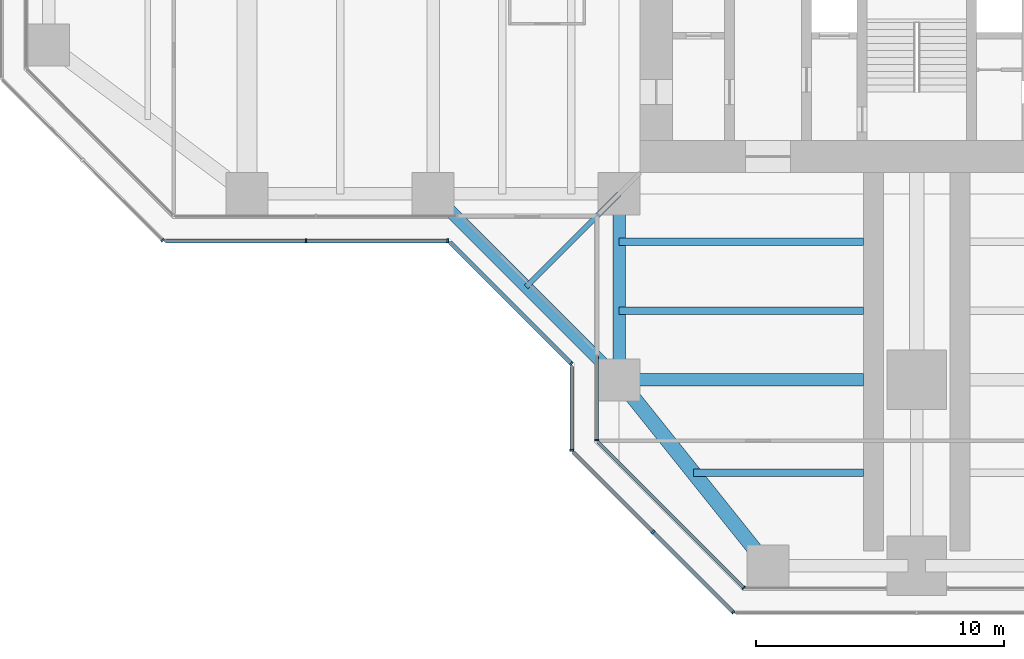
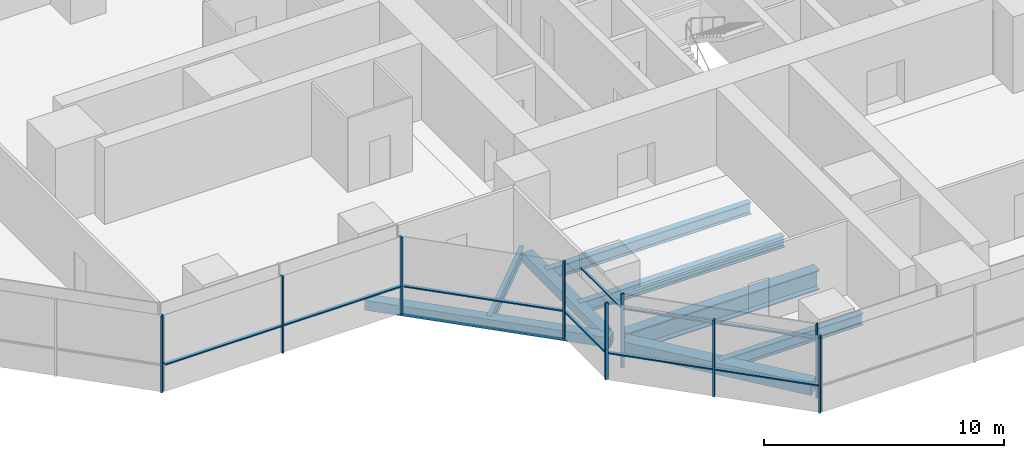
# One storey, part 2 of 19: 17 members, 8 beams, 7 elements without a shape of their own.
"""IFC4 building model written with IfcOpenShell, lengths in metres."""

from ifc_helpers import new_model, si_unit, direction, frame, origin, origin_2d, place, context, subcontext, project, spatial, rectangle, hollow_rectangle, i_section, extrude, material, material_profile, profile_set, type_object, element, aggregate, save


model = new_model("IFC4")

# Units and contexts
model_context = context("Model", 3, precision=1e-05, world=origin(), true_north=direction((0.0, 1.0)))
body_context = subcontext(model_context, "Body", "Model", "MODEL_VIEW")
ifc_project = project(units=[si_unit("LENGTHUNIT", "METRE"), si_unit("AREAUNIT", "SQUARE_METRE"), si_unit("VOLUMEUNIT", "CUBIC_METRE"), si_unit("PLANEANGLEUNIT", "RADIAN"), si_unit("MASSUNIT", "GRAM", prefix="KILO")], contexts=[model_context])

# Site, building, storey
site_placement = place(None, origin())
site = spatial("IfcSite", under=ifc_project, at=site_placement, CompositionType="ELEMENT")
building_placement = place(site_placement, origin())
building = spatial("IfcBuilding", under=site, at=building_placement, Name="Mizan Broadcast Tower", CompositionType="ELEMENT")
storey_placement = place(building_placement, frame((0.0, 0.0, 128.10009765625)))
storey = spatial("IfcBuildingStorey", under=building, at=storey_placement, Name="L28", CompositionType="ELEMENT", Elevation=128.10009765625)

# Beams
ifc_material_1 = material(Name="Steel S355", Category="steel")
ifc_material_profile_1 = material_profile(ifc_material_1, hollow_rectangle(XDim=0.5, YDim=0.5, WallThickness=0.030029296875, at=origin_2d()), Name="BOX 500x500x30")
ifc_profile_set_1 = profile_set([ifc_material_profile_1], Name="Steel S355")
beam_type_1 = type_object("IfcBeamType", Name="EDGE BEAM BOX 500x500x30", PredefinedType="SPANDREL", material=ifc_profile_set_1)
beam_1_placement = place(storey_placement, frame((-12.0, -12.449951171875, -0.380126953125), z_axis=(0.0, -1.0, 0.0), x_axis=(1.0, 0.0, 0.0)))
element("IfcBeam", 1, at=beam_1_placement, inside=storey, type_object=beam_type_1, Name="Edge beam BOX 500x500x30 L28 south arm", PredefinedType="SPANDREL", context=body_context, shape_type="SweptSolid", body=[
    extrude(hollow_rectangle(XDim=0.5, YDim=0.5, WallThickness=0.030029296875, at=origin_2d()), origin(), (0.0, 0.0, 1.0), 6.60009765625),
])
beam_2_placement = place(storey_placement, frame((-19.5, -12.0, -0.380126953125), z_axis=(0.707106781187, -0.707106781187, 0.0), x_axis=(0.707106781187, 0.707106781187, 0.0)))
element("IfcBeam", 2, at=beam_2_placement, inside=storey, type_object=beam_type_1, Name="Winter garden edge beam L28 W", PredefinedType="SPANDREL", context=body_context, shape_type="SweptSolid", body=[
    extrude(hollow_rectangle(XDim=0.5, YDim=0.5, WallThickness=0.030029296875, at=origin_2d()), origin(), (0.0, 0.0, 1.0), 10.606689453125),
])
ifc_material_2 = material(Name="Steel S355", Category="steel")
ifc_material_profile_2 = material_profile(ifc_material_2, hollow_rectangle(XDim=0.60009765625, YDim=0.60009765625, WallThickness=0.030029296875, at=origin_2d()), Name="BOX 600x600x30")
ifc_profile_set_2 = profile_set([ifc_material_profile_2], Name="Steel S355")
beam_type_2 = type_object("IfcBeamType", Name="EDGE BEAM BOX 600x600x30", PredefinedType="SPANDREL", material=ifc_profile_set_2)
beam_3_placement = place(storey_placement, frame((-11.639892578125, -19.949951171875, -0.43017578125), z_axis=(0.624673911726, -0.780885717636, 0.0), x_axis=(0.780885717636, 0.624673911726, 0.0)))
element("IfcBeam", 3, at=beam_3_placement, inside=storey, type_object=beam_type_2, Name="Edge beam BOX 600x600x30 L28 south arm", PredefinedType="SPANDREL", context=body_context, shape_type="SweptSolid", body=[
    extrude(hollow_rectangle(XDim=0.60009765625, YDim=0.60009765625, WallThickness=0.030029296875, at=origin_2d()), origin(), (0.0, 0.0, 1.0), 8.4521484375),
])
ifc_material_3 = material(Name="Steel S460", Category="steel")
ifc_material_profile_3 = material_profile(ifc_material_3, i_section(OverallWidth=0.5, OverallDepth=1.0, WebThickness=0.02490234375, FlangeThickness=0.050048828125, at=origin_2d()), Name="WPG 1000x500")
ifc_profile_set_3 = profile_set([ifc_material_profile_3], Name="Steel S460")
beam_type_3 = type_object("IfcBeamType", Name="GIRDER WPG 1000x500", PredefinedType="BEAM", material=ifc_profile_set_3)
beam_4_placement = place(storey_placement, frame((-11.408935546875, -19.5, -0.630126953125), z_axis=(1.0, 0.0, 0.0), x_axis=(0.0, 1.0, 0.0)))
element("IfcBeam", 4, at=beam_4_placement, inside=storey, type_object=beam_type_3, Name="Girder WPG 1000x500 L28 south arm", PredefinedType="BEAM", context=body_context, shape_type="SweptSolid", body=[
    extrude(i_section(OverallWidth=0.5, OverallDepth=1.0, WebThickness=0.02490234375, FlangeThickness=0.050048828125, at=origin_2d()), origin(), (0.0, 0.0, 1.0), 9.259033203125),
])

# Curtain wall, member
ifc_material_4 = material(Name="Aluminium framed glazing", Category="aluminium")
curtain_wall_type_1 = type_object("IfcCurtainWallType", Name="INNER SKIN MID ZONE", PredefinedType="USERDEFINED", material=ifc_material_4)
curtain_wall_1_placement = place(storey_placement, origin())
curtain_wall_1 = element("IfcCurtainWall", 5, at=curtain_wall_1_placement, inside=storey, type_object=curtain_wall_type_1, Name="Inner skin mid zone L28 S side", ObjectType="INNER SKIN MID ZONE", PredefinedType="USERDEFINED")
ifc_material_5 = material(Name="Aluminium, pale anodised", Category="aluminium")
ifc_material_profile_4 = material_profile(ifc_material_5, rectangle(XDim=0.159912109375, YDim=0.06005859375, at=origin_2d()), Name="MULLION 160x60")
ifc_profile_set_4 = profile_set([ifc_material_profile_4], Name="Aluminium, pale anodised")
member_type_1 = type_object("IfcMemberType", Name="INNER SKIN MULLION 60x160", PredefinedType="MULLION", material=ifc_profile_set_4)
member_1_placement = place(storey_placement, frame((-12.89990234375, -21.928466796875, 0.0), z_axis=(0.0, 0.0, 1.0), x_axis=(1.0, 0.0, 0.0)))
member_1 = element("IfcMember", 6, at=member_1_placement, type_object=member_type_1, Name="Inner skin mid zone L28 S side mullion 2", PredefinedType="MULLION", context=body_context, shape_type="SweptSolid", body=[
    extrude(rectangle(XDim=0.159912109375, YDim=0.06005859375, at=origin_2d()), origin(), (0.0, 0.0, 1.0), 3.77001953125),
])

curtain_wall_2_placement = place(storey_placement, origin())
curtain_wall_2 = element("IfcCurtainWall", 7, at=curtain_wall_2_placement, inside=storey, type_object=curtain_wall_type_1, Name="Inner skin mid zone L28 S chamfer", ObjectType="INNER SKIN MID ZONE", PredefinedType="USERDEFINED")
member_2_placement = place(storey_placement, frame((-6.979736328125, -27.87890625, 0.0), z_axis=(0.0, 0.0, 1.0), x_axis=(0.707106781187, 0.707106781187, 0.0)))
member_2 = element("IfcMember", 8, at=member_2_placement, type_object=member_type_1, Name="Inner skin mid zone L28 S chamfer mullion 2", PredefinedType="MULLION", context=body_context, shape_type="SweptSolid", body=[
    extrude(rectangle(XDim=0.159912109375, YDim=0.06005859375, at=origin_2d()), origin(), (0.0, 0.0, 1.0), 3.77001953125),
])

# Member
ifc_material_6 = material(Name="Aluminium, pale anodised", Category="aluminium")
ifc_material_profile_5 = material_profile(ifc_material_6, rectangle(XDim=0.1201171875, YDim=0.06005859375, at=origin_2d()), Name="TRANSOM 120x60")
ifc_profile_set_5 = profile_set([ifc_material_profile_5], Name="Aluminium, pale anodised")
member_type_2 = type_object("IfcMemberType", Name="INNER SKIN TRANSOM 60x120", PredefinedType="USERDEFINED", material=ifc_profile_set_5)
member_3_placement = place(storey_placement, frame((-12.89990234375, -18.56005859375, 3.02978515625), z_axis=(0.0, -1.0, 0.0), x_axis=(1.0, 0.0, 0.0)))
member_3 = element("IfcMember", 9, at=member_3_placement, type_object=member_type_2, Name="Inner skin mid zone L28 S side transom 1.1", ObjectType="TRANSOM", PredefinedType="USERDEFINED", context=body_context, shape_type="SweptSolid", body=[
    extrude(rectangle(XDim=0.1201171875, YDim=0.06005859375, at=origin_2d()), origin(), (0.0, 0.0, 1.0), 3.338623046875),
])

aggregate(curtain_wall_1, [member_1, member_3])

member_4_placement = place(storey_placement, frame((-12.857666015625, -22.0009765625, 3.02978515625), z_axis=(0.707106781187, -0.707106781187, 0.0), x_axis=(0.707106781187, 0.707106781187, 0.0)))
member_4 = element("IfcMember", 10, at=member_4_placement, type_object=member_type_2, Name="Inner skin mid zone L28 S chamfer transom 1.1", ObjectType="TRANSOM", PredefinedType="USERDEFINED", context=body_context, shape_type="SweptSolid", body=[
    extrude(rectangle(XDim=0.1201171875, YDim=0.06005859375, at=origin_2d()), origin(), (0.0, 0.0, 1.0), 8.28271484375),
])

aggregate(curtain_wall_2, [member_2, member_4])

# Curtain wall, member
ifc_material_7 = material(Name="Aluminium framed glazing", Category="aluminium")
curtain_wall_type_2 = type_object("IfcCurtainWallType", Name="OUTER SKIN", PredefinedType="USERDEFINED", material=ifc_material_7)
curtain_wall_3_placement = place(storey_placement, origin())
curtain_wall_3 = element("IfcCurtainWall", 11, at=curtain_wall_3_placement, inside=storey, type_object=curtain_wall_type_2, Name="Outer skin L28 W chamfer", ObjectType="OUTER SKIN", PredefinedType="USERDEFINED")
ifc_material_8 = material(Name="Aluminium, pale anodised", Category="aluminium")
ifc_material_profile_6 = material_profile(ifc_material_8, rectangle(XDim=0.159912109375, YDim=0.080078125, at=origin_2d()), Name="MULLION 160x80")
ifc_profile_set_6 = profile_set([ifc_material_profile_6], Name="Aluminium, pale anodised")
member_type_3 = type_object("IfcMemberType", Name="OUTER SKIN MULLION 80x160", PredefinedType="MULLION", material=ifc_profile_set_6)
member_5_placement = place(storey_placement, frame((-30.401123046875, -13.871826171875, 0.0), z_axis=(0.0, 0.0, 1.0), x_axis=(0.707106781187, 0.707106781187, 0.0)))
member_5 = element("IfcMember", 12, at=member_5_placement, type_object=member_type_3, Name="Outer skin L28 W chamfer mullion 3", PredefinedType="MULLION", context=body_context, shape_type="SweptSolid", body=[
    extrude(rectangle(XDim=0.159912109375, YDim=0.080078125, at=origin_2d()), origin(), (0.0, 0.0, 1.0), 3.89990234375),
])
aggregate(curtain_wall_3, [member_5])

# Curtain wall, members
curtain_wall_4_placement = place(storey_placement, origin())
curtain_wall_4 = element("IfcCurtainWall", 13, at=curtain_wall_4_placement, inside=storey, type_object=curtain_wall_type_2, Name="Outer skin L28 W side", ObjectType="OUTER SKIN", PredefinedType="USERDEFINED")
member_6_placement = place(storey_placement, frame((-24.622802734375, -13.89990234375, 0.0), z_axis=(0.0, 0.0, 1.0), x_axis=(0.0, 1.0, 0.0)))
member_6 = element("IfcMember", 14, at=member_6_placement, type_object=member_type_3, Name="Outer skin L28 W side mullion 2", PredefinedType="MULLION", context=body_context, shape_type="SweptSolid", body=[
    extrude(rectangle(XDim=0.159912109375, YDim=0.080078125, at=origin_2d()), origin(), (0.0, 0.0, 1.0), 3.89990234375),
])
member_7_placement = place(storey_placement, frame((-18.912841796875, -13.89990234375, 0.0), z_axis=(0.0, 0.0, 1.0), x_axis=(0.0, 1.0, 0.0)))
member_7 = element("IfcMember", 15, at=member_7_placement, type_object=member_type_3, Name="Outer skin L28 W side mullion 3", PredefinedType="MULLION", context=body_context, shape_type="SweptSolid", body=[
    extrude(rectangle(XDim=0.159912109375, YDim=0.080078125, at=origin_2d()), origin(), (0.0, 0.0, 1.0), 3.89990234375),
])

# Curtain wall, member
curtain_wall_5_placement = place(storey_placement, origin())
curtain_wall_5 = element("IfcCurtainWall", 16, at=curtain_wall_5_placement, inside=storey, type_object=curtain_wall_type_2, Name="Outer skin L28 W chamfer", ObjectType="OUTER SKIN", PredefinedType="USERDEFINED")
member_8_placement = place(storey_placement, frame((-13.92822265625, -18.844482421875, 0.0), z_axis=(0.0, 0.0, 1.0), x_axis=(0.707106781187, 0.707106781187, 0.0)))
member_8 = element("IfcMember", 17, at=member_8_placement, type_object=member_type_3, Name="Outer skin L28 W chamfer mullion 2", PredefinedType="MULLION", context=body_context, shape_type="SweptSolid", body=[
    extrude(rectangle(XDim=0.159912109375, YDim=0.080078125, at=origin_2d()), origin(), (0.0, 0.0, 1.0), 3.89990234375),
])

curtain_wall_6_placement = place(storey_placement, origin())
curtain_wall_6 = element("IfcCurtainWall", 18, at=curtain_wall_6_placement, inside=storey, type_object=curtain_wall_type_2, Name="Outer skin L28 S side", ObjectType="OUTER SKIN", PredefinedType="USERDEFINED")
member_9_placement = place(storey_placement, frame((-13.89990234375, -22.332763671875, 0.0), z_axis=(0.0, 0.0, 1.0), x_axis=(1.0, 0.0, 0.0)))
member_9 = element("IfcMember", 19, at=member_9_placement, type_object=member_type_3, Name="Outer skin L28 S side mullion 2", PredefinedType="MULLION", context=body_context, shape_type="SweptSolid", body=[
    extrude(rectangle(XDim=0.159912109375, YDim=0.080078125, at=origin_2d()), origin(), (0.0, 0.0, 1.0), 3.89990234375),
])

# Curtain wall, members
curtain_wall_7_placement = place(storey_placement, origin())
curtain_wall_7 = element("IfcCurtainWall", 20, at=curtain_wall_7_placement, inside=storey, type_object=curtain_wall_type_2, Name="Outer skin L28 S chamfer", ObjectType="OUTER SKIN", PredefinedType="USERDEFINED")
member_10_placement = place(storey_placement, frame((-10.636474609375, -25.636474609375, 0.0), z_axis=(0.0, 0.0, 1.0), x_axis=(0.707106781187, 0.707106781187, 0.0)))
member_10 = element("IfcMember", 21, at=member_10_placement, type_object=member_type_3, Name="Outer skin L28 S chamfer mullion 2", PredefinedType="MULLION", context=body_context, shape_type="SweptSolid", body=[
    extrude(rectangle(XDim=0.159912109375, YDim=0.080078125, at=origin_2d()), origin(), (0.0, 0.0, 1.0), 3.89990234375),
])
member_11_placement = place(storey_placement, frame((-7.401123046875, -28.871826171875, 0.0), z_axis=(0.0, 0.0, 1.0), x_axis=(0.707106781187, 0.707106781187, 0.0)))
member_11 = element("IfcMember", 22, at=member_11_placement, type_object=member_type_3, Name="Outer skin L28 S chamfer mullion 3", PredefinedType="MULLION", context=body_context, shape_type="SweptSolid", body=[
    extrude(rectangle(XDim=0.159912109375, YDim=0.080078125, at=origin_2d()), origin(), (0.0, 0.0, 1.0), 3.89990234375),
])

# Member
ifc_material_9 = material(Name="Aluminium, pale anodised", Category="aluminium")
ifc_material_profile_7 = material_profile(ifc_material_9, rectangle(XDim=0.159912109375, YDim=0.06005859375, at=origin_2d()), Name="TRANSOM 160x60")
ifc_profile_set_7 = profile_set([ifc_material_profile_7], Name="Aluminium, pale anodised")
member_type_4 = type_object("IfcMemberType", Name="OUTER SKIN TRANSOM 60x160", PredefinedType="USERDEFINED", material=ifc_profile_set_7)
member_12_placement = place(storey_placement, frame((-30.292724609375, -13.89990234375, 1.39990234375), z_axis=(1.0, 0.0, 0.0), x_axis=(0.0, 1.0, 0.0)))
member_12 = element("IfcMember", 23, at=member_12_placement, type_object=member_type_4, Name="Outer skin L28 W side transom 1.1", ObjectType="TRANSOM", PredefinedType="USERDEFINED", context=body_context, shape_type="SweptSolid", body=[
    extrude(rectangle(XDim=0.159912109375, YDim=0.06005859375, at=origin_2d()), origin(), (0.0, 0.0, 1.0), 5.6298828125),
])

member_13_placement = place(storey_placement, frame((-24.582763671875, -13.89990234375, 1.39990234375), z_axis=(1.0, 0.0, 0.0), x_axis=(0.0, 1.0, 0.0)))
member_13 = element("IfcMember", 24, at=member_13_placement, type_object=member_type_4, Name="Outer skin L28 W side transom 2.1", ObjectType="TRANSOM", PredefinedType="USERDEFINED", context=body_context, shape_type="SweptSolid", body=[
    extrude(rectangle(XDim=0.159912109375, YDim=0.06005859375, at=origin_2d()), origin(), (0.0, 0.0, 1.0), 5.6298828125),
])

aggregate(curtain_wall_4, [member_6, member_7, member_12, member_13])

member_14_placement = place(storey_placement, frame((-18.816162109375, -13.95654296875, 1.39990234375), z_axis=(0.707106781187, -0.707106781187, 0.0), x_axis=(0.707106781187, 0.707106781187, 0.0)))
member_14 = element("IfcMember", 25, at=member_14_placement, type_object=member_type_4, Name="Outer skin L28 W chamfer transom 1.1", ObjectType="TRANSOM", PredefinedType="USERDEFINED", context=body_context, shape_type="SweptSolid", body=[
    extrude(rectangle(XDim=0.159912109375, YDim=0.06005859375, at=origin_2d()), origin(), (0.0, 0.0, 1.0), 6.87255859375),
])

aggregate(curtain_wall_5, [member_8, member_14])

member_15_placement = place(storey_placement, frame((-13.89990234375, -18.952880859375, 1.39990234375), z_axis=(0.0, -1.0, 0.0), x_axis=(1.0, 0.0, 0.0)))
member_15 = element("IfcMember", 26, at=member_15_placement, type_object=member_type_4, Name="Outer skin L28 S side transom 1.1", ObjectType="TRANSOM", PredefinedType="USERDEFINED", context=body_context, shape_type="SweptSolid", body=[
    extrude(rectangle(XDim=0.159912109375, YDim=0.06005859375, at=origin_2d()), origin(), (0.0, 0.0, 1.0), 3.33984375),
])

aggregate(curtain_wall_6, [member_9, member_15])

member_16_placement = place(storey_placement, frame((-13.843505859375, -22.429443359375, 1.39990234375), z_axis=(0.707106781187, -0.707106781187, 0.0), x_axis=(0.707106781187, 0.707106781187, 0.0)))
member_16 = element("IfcMember", 27, at=member_16_placement, type_object=member_type_4, Name="Outer skin L28 S chamfer transom 1.1", ObjectType="TRANSOM", PredefinedType="USERDEFINED", context=body_context, shape_type="SweptSolid", body=[
    extrude(rectangle(XDim=0.159912109375, YDim=0.06005859375, at=origin_2d()), origin(), (0.0, 0.0, 1.0), 4.495361328125),
])

member_17_placement = place(storey_placement, frame((-10.608154296875, -25.664794921875, 1.39990234375), z_axis=(0.707106781187, -0.707106781187, 0.0), x_axis=(0.707106781187, 0.707106781187, 0.0)))
member_17 = element("IfcMember", 28, at=member_17_placement, type_object=member_type_4, Name="Outer skin L28 S chamfer transom 2.1", ObjectType="TRANSOM", PredefinedType="USERDEFINED", context=body_context, shape_type="SweptSolid", body=[
    extrude(rectangle(XDim=0.159912109375, YDim=0.06005859375, at=origin_2d()), origin(), (0.0, 0.0, 1.0), 4.495361328125),
])

aggregate(curtain_wall_7, [member_10, member_11, member_16, member_17])

# Beams
ifc_material_10 = material(Name="Steel S355", Category="steel")
ifc_material_profile_8 = material_profile(ifc_material_10, i_section(OverallWidth=0.300048828125, OverallDepth=0.590087890625, WebThickness=0.012939453125, FlangeThickness=0.02490234375, FilletRadius=0.027099609375, at=origin_2d()), Name="HEA 600")
ifc_profile_set_8 = profile_set([ifc_material_profile_8], Name="Steel S355")
beam_type_4 = type_object("IfcBeamType", Name="SECONDARY BEAM HEA 600", PredefinedType="JOIST", material=ifc_profile_set_8)
for number, where, z_axis, x_axis, name in (
    (29, (-12.0, -13.933349609375, -0.425048828125), (1.0, 0.0, 0.0), (0.0, 1.0, 0.0), "Secondary beam HEA 600 L28 south arm"),
    (30, (-12.0, -16.716552734375, -0.425048828125), (1.0, 0.0, 0.0), (0.0, 1.0, 0.0), "Secondary beam HEA 600 L28 south arm"),
):
    element("IfcBeam", number, at=place(storey_placement, frame(where, z_axis=z_axis, x_axis=x_axis)), inside=storey, type_object=beam_type_4, Name=name, PredefinedType="JOIST", context=body_context, shape_type="SweptSolid", body=[
        extrude(i_section(OverallWidth=0.300048828125, OverallDepth=0.590087890625, WebThickness=0.012939453125, FlangeThickness=0.02490234375, FilletRadius=0.027099609375, at=origin_2d()), origin(), (0.0, 0.0, 1.0), 9.85009765625),
    ])
beam_5_placement = place(storey_placement, frame((-9.0, -23.25, -0.425048828125), z_axis=(1.0, 0.0, 0.0), x_axis=(0.0, 1.0, 0.0)))
element("IfcBeam", 31, at=beam_5_placement, inside=storey, type_object=beam_type_4, Name="Secondary beam HEA 600 L28 south arm", PredefinedType="JOIST", context=body_context, shape_type="SweptSolid", body=[
    extrude(i_section(OverallWidth=0.300048828125, OverallDepth=0.590087890625, WebThickness=0.012939453125, FlangeThickness=0.02490234375, FilletRadius=0.027099609375, at=origin_2d()), origin(), (0.0, 0.0, 1.0), 6.85009765625),
])
ifc_material_11 = material(Name="Steel S355", Category="steel")
ifc_material_profile_9 = material_profile(ifc_material_11, i_section(OverallWidth=0.2099609375, OverallDepth=0.550048828125, WebThickness=0.010986328125, FlangeThickness=0.01708984375, FilletRadius=0.02392578125, at=origin_2d()), Name="IPE 550")
ifc_profile_set_9 = profile_set([ifc_material_profile_9], Name="Steel S355")
beam_type_5 = type_object("IfcBeamType", Name="SECONDARY BEAM IPE 550", PredefinedType="JOIST", material=ifc_profile_set_9)
beam_6_placement = place(storey_placement, frame((-12.0, -12.0, -0.405029296875), z_axis=(-0.707106781187, -0.707106781187, 0.0), x_axis=(0.707106781187, -0.707106781187, 0.0)))
element("IfcBeam", 32, at=beam_6_placement, inside=storey, type_object=beam_type_5, Name="Winter garden beam L28 W", PredefinedType="JOIST", context=body_context, shape_type="SweptSolid", body=[
    extrude(i_section(OverallWidth=0.2099609375, OverallDepth=0.550048828125, WebThickness=0.010986328125, FlangeThickness=0.01708984375, FilletRadius=0.02392578125, at=origin_2d()), origin(), (0.0, 0.0, 1.0), 5.30322265625),
])

save(model, "model.ifc")
